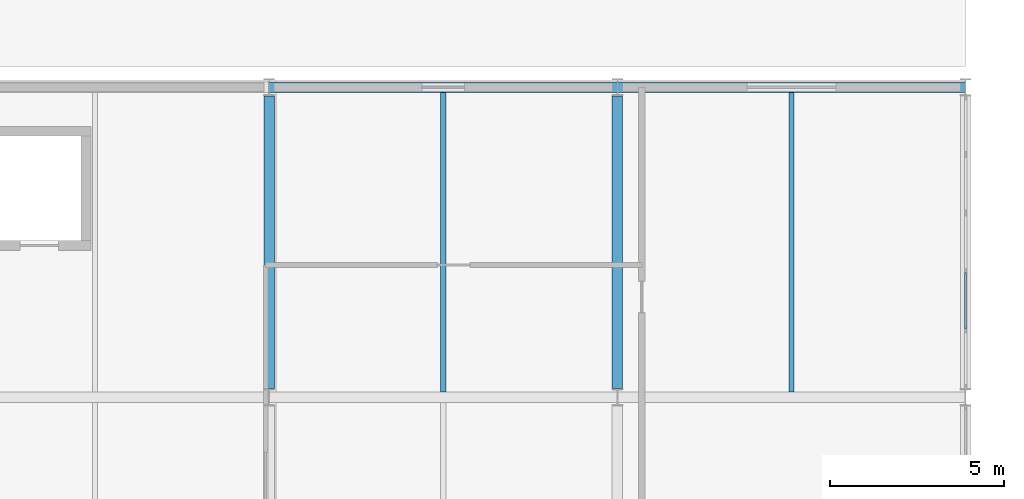
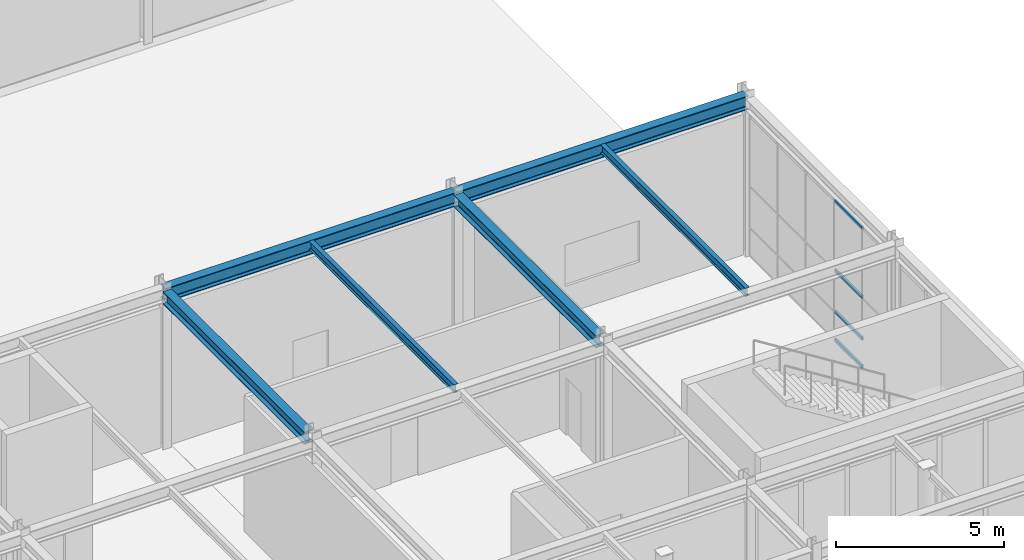
# One storey, part 86 of 146: 6 beams, 4 members, 1 element without a shape of its own.
"""IFC4 building model written with IfcOpenShell, lengths in metres."""

from ifc_helpers import new_model, si_unit, direction, frame, origin, origin_2d, place, context, subcontext, project, spatial, hollow_rectangle, i_section, extrude, material, material_profile, profile_set, type_object, element, aggregate, save


model = new_model("IFC4")

# Units and contexts
model_context = context("Model", 3, precision=1e-05, world=origin(), true_north=direction((0.0, 1.0)))
body_context = subcontext(model_context, "Body", "Model", "MODEL_VIEW")
ifc_project = project(units=[si_unit("LENGTHUNIT", "METRE"), si_unit("AREAUNIT", "SQUARE_METRE"), si_unit("VOLUMEUNIT", "CUBIC_METRE"), si_unit("PLANEANGLEUNIT", "RADIAN"), si_unit("MASSUNIT", "GRAM", prefix="KILO")], contexts=[model_context])

# Site, building, storey
site_placement = place(None, origin())
site = spatial("IfcSite", under=ifc_project, at=site_placement, CompositionType="ELEMENT")
building_placement = place(site_placement, origin())
building = spatial("IfcBuilding", under=site, at=building_placement, Name="Kaldris Quays Convention Centre", CompositionType="ELEMENT")
storey_placement = place(building_placement, origin())
storey = spatial("IfcBuildingStorey", under=building, at=storey_placement, Name="L00", CompositionType="ELEMENT", Elevation=0.0)

# Curtain wall, members
ifc_material_1 = material(Name="Anodized aluminium AW-6060 and triple glazing", Category="aluminium")
curtain_wall_type = type_object("IfcCurtainWallType", Name="UNITISED CURTAIN WALL CW02", PredefinedType="NOTDEFINED", material=ifc_material_1)
curtain_wall_placement = place(storey_placement, origin())
curtain_wall = element("IfcCurtainWall", 1, at=curtain_wall_placement, inside=storey, type_object=curtain_wall_type, Name="L00 Unitised Curtain Wall CW02 184", PredefinedType="NOTDEFINED")
ifc_material_2 = material(Name="Anodized aluminium AW-6060", Category="aluminium")
ifc_material_profile_1 = material_profile(ifc_material_2, hollow_rectangle(XDim=0.06005859375, YDim=0.1201171875, WallThickness=0.00390625, at=origin_2d()), Name="RHS 120x60x4")
ifc_profile_set_1 = profile_set([ifc_material_profile_1], Name="Anodized aluminium AW-6060")
member_type = type_object("IfcMemberType", Name="CURTAIN TRANSOM CWT1", PredefinedType="USERDEFINED", material=ifc_profile_set_1)
member_1_placement = place(storey_placement, frame((204.0, 30.4599609375, 0.030029296875), z_axis=(0.0, 1.0, 0.0), x_axis=(-1.0, 0.0, 0.0)))
member_1 = element("IfcMember", 2, at=member_1_placement, type_object=member_type, Name="CW02 transom 2.1", ObjectType="TRANSOM", PredefinedType="USERDEFINED", context=body_context, shape_type="SweptSolid", body=[
    extrude(hollow_rectangle(XDim=0.06005859375, YDim=0.1201171875, WallThickness=0.00390625, at=origin_2d()), origin(), (0.0, 0.0, 1.0), 1.6201171875),
])
member_2_placement = place(storey_placement, frame((204.0, 30.4599609375, 1.050048828125), z_axis=(0.0, 1.0, 0.0), x_axis=(-1.0, 0.0, 0.0)))
member_2 = element("IfcMember", 3, at=member_2_placement, type_object=member_type, Name="CW02 transom 2.2", ObjectType="TRANSOM", PredefinedType="USERDEFINED", context=body_context, shape_type="SweptSolid", body=[
    extrude(hollow_rectangle(XDim=0.06005859375, YDim=0.1201171875, WallThickness=0.00390625, at=origin_2d()), origin(), (0.0, 0.0, 1.0), 1.6201171875),
])
member_3_placement = place(storey_placement, frame((204.0, 30.4599609375, 2.550048828125), z_axis=(0.0, 1.0, 0.0), x_axis=(-1.0, 0.0, 0.0)))
member_3 = element("IfcMember", 4, at=member_3_placement, type_object=member_type, Name="CW02 transom 2.3", ObjectType="TRANSOM", PredefinedType="USERDEFINED", context=body_context, shape_type="SweptSolid", body=[
    extrude(hollow_rectangle(XDim=0.06005859375, YDim=0.1201171875, WallThickness=0.00390625, at=origin_2d()), origin(), (0.0, 0.0, 1.0), 1.6201171875),
])
member_4_placement = place(storey_placement, frame((204.0, 30.4599609375, 5.070068359375), z_axis=(0.0, 1.0, 0.0), x_axis=(-1.0, 0.0, 0.0)))
member_4 = element("IfcMember", 5, at=member_4_placement, type_object=member_type, Name="CW02 transom 2.4", ObjectType="TRANSOM", PredefinedType="USERDEFINED", context=body_context, shape_type="SweptSolid", body=[
    extrude(hollow_rectangle(XDim=0.06005859375, YDim=0.1201171875, WallThickness=0.00390625, at=origin_2d()), origin(), (0.0, 0.0, 1.0), 1.6201171875),
])
aggregate(curtain_wall, [member_1, member_2, member_3, member_4])

# Beams
ifc_material_3 = material(Name="Steel S355J2", Category="steel")
ifc_material_profile_2 = material_profile(ifc_material_3, i_section(OverallWidth=0.300048828125, OverallDepth=0.5, WebThickness=0.014404296875, FlangeThickness=0.028076171875, FilletRadius=0.027099609375, at=origin_2d()), Name="HEB 500")
ifc_profile_set_2 = profile_set([ifc_material_profile_2], Name="Steel S355J2")
beam_type_1 = type_object("IfcBeamType", Name="STRUCTURAL BEAM BM06", PredefinedType="BEAM", material=ifc_profile_set_2)
for number, where, z_axis, x_axis, name in (
    (6, (184.001220703125, 37.39990234375, 5.492919921875), (1.0, 0.0, 0.0), (0.0, 1.0, 0.0), "L00 Girder BM06 19"),
    (7, (194.001220703125, 37.39990234375, 5.492919921875), (1.0, 0.0, 0.0), (0.0, 1.0, 0.0), "L00 Girder BM06 20"),
):
    element("IfcBeam", number, at=place(storey_placement, frame(where, z_axis=z_axis, x_axis=x_axis)), inside=storey, type_object=beam_type_1, Name=name, PredefinedType="BEAM", context=body_context, shape_type="SweptSolid", body=[
        extrude(i_section(OverallWidth=0.300048828125, OverallDepth=0.5, WebThickness=0.014404296875, FlangeThickness=0.028076171875, FilletRadius=0.027099609375, at=origin_2d()), origin(), (0.0, 0.0, 1.0), 9.99755859375),
    ])
ifc_material_profile_3 = material_profile(ifc_material_3, i_section(OverallWidth=0.300048828125, OverallDepth=0.43994140625, WebThickness=0.011474609375, FlangeThickness=0.02099609375, FilletRadius=0.027099609375, at=origin_2d()), Name="HEA 450")
ifc_profile_set_3 = profile_set([ifc_material_profile_3], Name="Steel S355J2")
beam_type_2 = type_object("IfcBeamType", Name="STRUCTURAL BEAM BM14", PredefinedType="BEAM", material=ifc_profile_set_3)
for number, where, z_axis, x_axis, name in (
    (8, (184.0, 28.743896484375, 5.52294921875), (0.0, 1.0, 0.0), (-1.0, 0.0, 0.0), "L00 Girder BM14 32"),
    (9, (194.0, 28.743896484375, 5.52294921875), (0.0, 1.0, 0.0), (-1.0, 0.0, 0.0), "L00 Girder BM14 35"),
):
    element("IfcBeam", number, at=place(storey_placement, frame(where, z_axis=z_axis, x_axis=x_axis)), inside=storey, type_object=beam_type_2, Name=name, PredefinedType="BEAM", context=body_context, shape_type="SweptSolid", body=[
        extrude(i_section(OverallWidth=0.300048828125, OverallDepth=0.43994140625, WebThickness=0.011474609375, FlangeThickness=0.02099609375, FilletRadius=0.027099609375, at=origin_2d()), origin(), (0.0, 0.0, 1.0), 8.412109375),
    ])
ifc_material_profile_4 = material_profile(ifc_material_3, i_section(OverallWidth=0.14990234375, OverallDepth=0.300048828125, WebThickness=0.007080078125, FlangeThickness=0.0107421875, FilletRadius=0.014892578125, at=origin_2d()), Name="IPE 300")
ifc_profile_set_4 = profile_set([ifc_material_profile_4], Name="Steel S355J2")
beam_type_3 = type_object("IfcBeamType", Name="STRUCTURAL BEAM JT04", PredefinedType="JOIST", material=ifc_profile_set_4)
for number, where, z_axis, x_axis, name in (
    (10, (189.0, 28.64404296875, 5.593017578125), (0.0, 1.0, 0.0), (-1.0, 0.0, 0.0), "L00 Secondary Joist JT04 12"),
    (11, (199.0, 28.64404296875, 5.593017578125), (0.0, 1.0, 0.0), (-1.0, 0.0, 0.0), "L00 Secondary Joist JT04 13"),
):
    element("IfcBeam", number, at=place(storey_placement, frame(where, z_axis=z_axis, x_axis=x_axis)), inside=storey, type_object=beam_type_3, Name=name, PredefinedType="JOIST", context=body_context, shape_type="SweptSolid", body=[
        extrude(i_section(OverallWidth=0.14990234375, OverallDepth=0.300048828125, WebThickness=0.007080078125, FlangeThickness=0.0107421875, FilletRadius=0.014892578125, at=origin_2d()), origin(), (0.0, 0.0, 1.0), 8.612060546875),
    ])

save(model, "model.ifc")
